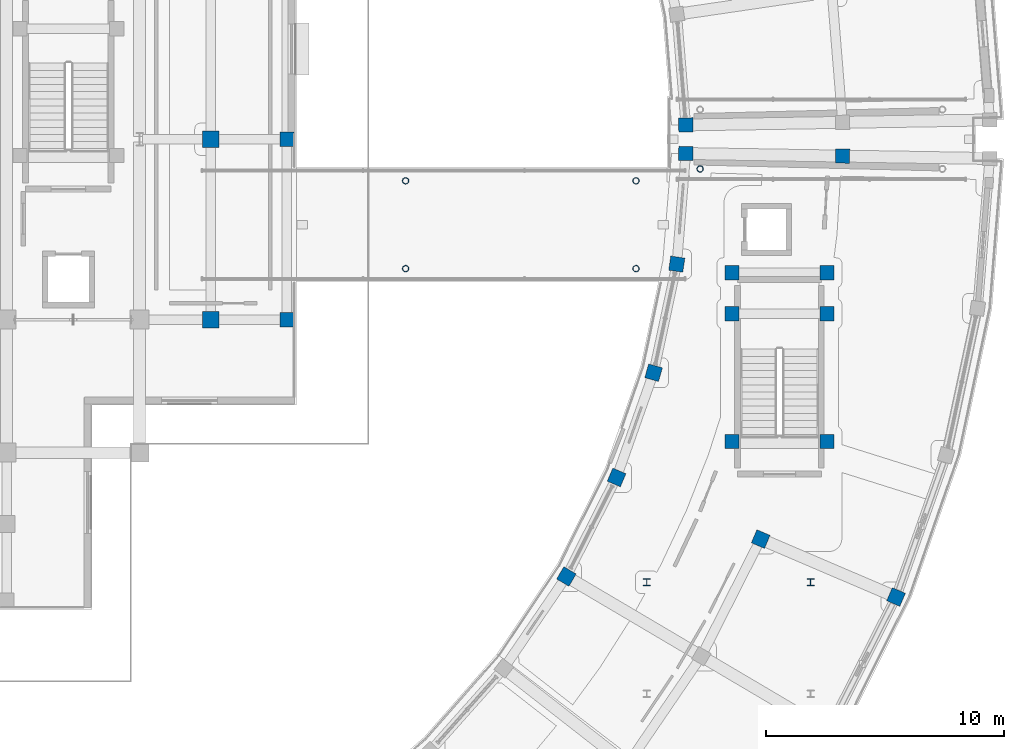
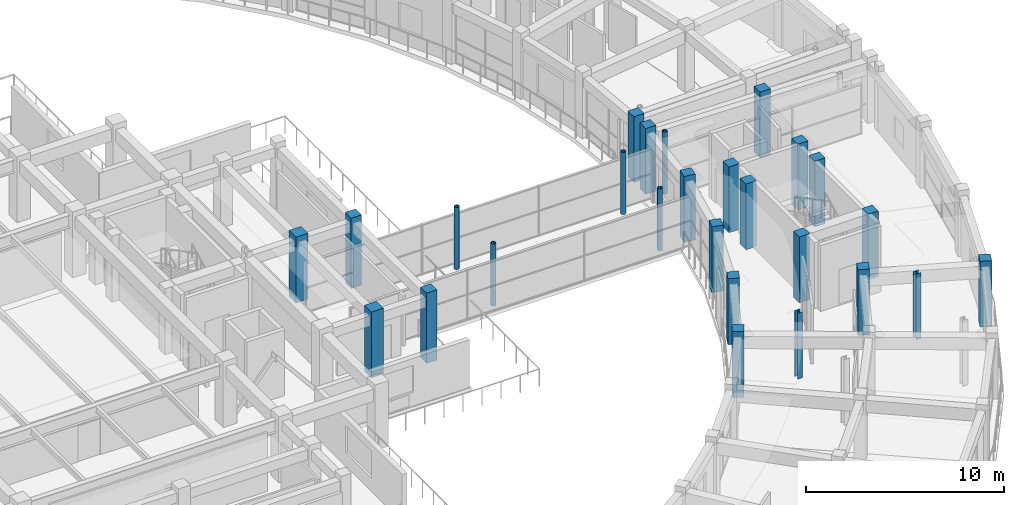
# One storey, part 6 of 72: 26 columns.
"""IFC4 building model written with IfcOpenShell, lengths in metres."""

from ifc_helpers import new_model, si_unit, direction, frame, origin, origin_2d, place, context, subcontext, project, spatial, rectangle, hollow_circle, i_section, extrude, material, material_profile, profile_set, type_object, element, save


model = new_model("IFC4")

# Units and contexts
model_context = context("Model", 3, precision=1e-05, world=origin(), true_north=direction((0.0, 1.0)))
body_context = subcontext(model_context, "Body", "Model", "MODEL_VIEW")
ifc_project = project(units=[si_unit("LENGTHUNIT", "METRE"), si_unit("AREAUNIT", "SQUARE_METRE"), si_unit("VOLUMEUNIT", "CUBIC_METRE"), si_unit("PLANEANGLEUNIT", "RADIAN"), si_unit("MASSUNIT", "GRAM", prefix="KILO")], contexts=[model_context])

# Site, building, storey
site_placement = place(None, origin())
site = spatial("IfcSite", under=ifc_project, at=site_placement, CompositionType="ELEMENT")
building_placement = place(site_placement, origin())
building = spatial("IfcBuilding", under=site, at=building_placement, Name="Saryqyr Civic Hall", CompositionType="ELEMENT")
storey_placement = place(building_placement, frame((0.0, 0.0, 17.25)))
storey = spatial("IfcBuildingStorey", under=building, at=storey_placement, Name="L04", CompositionType="ELEMENT", Elevation=17.25)

# Columns
ifc_material_1 = material(Name="Steel S355", Category="steel")
ifc_material_profile_1 = material_profile(ifc_material_1, hollow_circle(Radius=0.136474609375, WallThickness=0.01611328125, at=origin_2d()), Name="CHS 273x16")
ifc_profile_set_1 = profile_set([ifc_material_profile_1], Name="Steel S355")
column_type_1 = type_object("IfcColumnType", Name="STR-COL-CHS273-S355", PredefinedType="COLUMN", material=ifc_profile_set_1)
for number, where, z_axis, x_axis, name in (
    (1, (93.800048828125, 82.75, 0.0), (0.0, 0.0, 1.0), (1.0, 0.0, 0.0), "Column BRCOL-BR-E-1-L04"),
    (2, (81.39990234375, 78.550048828125, 0.0), (0.0, 0.0, 1.0), (1.0, 0.0, 0.0), "Column BRCOL-BR-CE-1-L04"),
    (3, (91.09765625, 78.550048828125, 0.0), (0.0, 0.0, 1.0), (1.0, 0.0, 0.0), "Column BRCOL-BR-CE-2-L04"),
    (4, (91.09765625, 82.25, 0.0), (0.0, 0.0, 1.0), (1.0, 0.0, 0.0), "Column BRCOL-BR-CE-3-L04"),
    (5, (81.39990234375, 82.25, 0.0), (0.0, 0.0, 1.0), (1.0, 0.0, 0.0), "Column BRCOL-BR-CE-4-L04"),
):
    element("IfcColumn", number, at=place(storey_placement, frame(where, z_axis=z_axis, x_axis=x_axis)), inside=storey, type_object=column_type_1, Name=name, PredefinedType="COLUMN", context=body_context, shape_type="SweptSolid", body=[
        extrude(hollow_circle(Radius=0.136474609375, WallThickness=0.01611328125, at=origin_2d()), origin(), (0.0, 0.0, 1.0), 3.820068359375),
    ])
ifc_material_profile_2 = material_profile(ifc_material_1, i_section(OverallWidth=0.300048828125, OverallDepth=0.2900390625, WebThickness=0.008544921875, FlangeThickness=0.013916015625, at=origin_2d()), Name="HEA 300")
ifc_profile_set_2 = profile_set([ifc_material_profile_2], Name="Steel S355")
column_type_2 = type_object("IfcColumnType", Name="STR-COL-HEA300-S355", PredefinedType="COLUMN", material=ifc_profile_set_2)
for number, where, z_axis, x_axis, name in (
    (6, (98.449951171875, 65.35009765625, 0.0), (0.0, 0.0, 1.0), (1.0, 0.0, 0.0), "Column RGV5-COL-3-L04"),
    (7, (91.550048828125, 65.35009765625, 0.0), (0.0, 0.0, 1.0), (1.0, 0.0, 0.0), "Column RGV5-COL-4-L04"),
):
    element("IfcColumn", number, at=place(storey_placement, frame(where, z_axis=z_axis, x_axis=x_axis)), inside=storey, type_object=column_type_2, Name=name, PredefinedType="COLUMN", context=body_context, shape_type="SweptSolid", body=[
        extrude(i_section(OverallWidth=0.300048828125, OverallDepth=0.2900390625, WebThickness=0.008544921875, FlangeThickness=0.013916015625, at=origin_2d()), origin(), (0.0, 0.0, 1.0), 4.050048828125),
    ])
ifc_material_2 = material(Name="Concrete C40/50", Category="concrete")
ifc_material_profile_3 = material_profile(ifc_material_2, rectangle(XDim=0.60009765625, YDim=0.60009765625, at=origin_2d()), Name="RC 600x600")
ifc_profile_set_3 = profile_set([ifc_material_profile_3], Name="Concrete C40/50")
column_type_3 = type_object("IfcColumnType", Name="STR-COL-RC600-C40", PredefinedType="COLUMN", material=ifc_profile_set_3)
for number, where, z_axis, x_axis, name in (
    (8, (76.39990234375, 76.39990234375, -0.280029296875), (0.0, 0.0, 1.0), (1.0, 0.0, 0.0), "Column V1-COL-TG-E1-L04"),
    (9, (76.39990234375, 84.0, -0.280029296875), (0.0, 0.0, 1.0), (1.0, 0.0, 0.0), "Column V1-COL-TG-E2-L04"),
):
    element("IfcColumn", number, at=place(storey_placement, frame(where, z_axis=z_axis, x_axis=x_axis)), inside=storey, type_object=column_type_3, Name=name, PredefinedType="COLUMN", context=body_context, shape_type="SweptSolid", body=[
        extrude(rectangle(XDim=0.60009765625, YDim=0.60009765625, at=origin_2d()), origin(), (0.0, 0.0, 1.0), 4.330078125),
    ])
for number, where, z_axis, x_axis, name in (
    (10, (88.16845703125, 65.589111328125, 0.0), (0.0, 0.0, 1.0), (0.861008442465, -0.508590662521, 0.0), "Column V5-COL-IN06-L04"),
    (11, (90.281494140625, 69.759521484375, 0.0), (0.0, 0.0, 1.0), (0.919410138581, -0.393300136124, 0.0), "Column V5-COL-IN07-L04"),
    (12, (96.349365234375, 67.163330078125, 0.0), (0.0, 0.0, 1.0), (0.919410138581, -0.393300136124, 0.0), "Column V5-COL-MID07-L04"),
    (13, (102.04931640625, 64.724365234375, 0.0), (0.0, 0.0, 1.0), (0.919410138581, -0.393300136124, 0.0), "Column V5-COL-OUT07-L04"),
    (14, (91.839111328125, 74.167724609375, 0.0), (0.0, 0.0, 1.0), (0.962407846499, -0.271608425858, 0.0), "Column V5-COL-IN08-L04"),
    (15, (92.81591796875, 78.739990234375, 0.0), (0.0, 0.0, 1.0), (0.989374077068, -0.145392350643, 0.0), "Column V5-COL-IN09-L04"),
    (16, (93.195068359375, 83.39990234375, 0.0), (0.0, 0.0, 1.0), (0.999862544538, -0.016579868188, 0.0), "Column V5-COL-IN10-L04"),
    (17, (99.794189453125, 83.290283203125, 0.0), (0.0, 0.0, 1.0), (0.999862544538, -0.016579868188, 0.0), "Column V5-COL-MID10-L04"),
    (18, (93.195068359375, 84.60009765625, 0.0), (0.0, 0.0, 1.0), (0.999862544538, 0.016579868188, 0.0), "Column V6-COL-IN00-L04"),
    (19, (99.139892578125, 71.27490234375, 0.0), (0.0, 0.0, 1.0), (1.0, 0.0, 0.0), "Column ST-5-SCOL-TRMA-L04"),
    (20, (95.139892578125, 71.27490234375, 0.0), (0.0, 0.0, 1.0), (1.0, 0.0, 0.0), "Column ST-5-SCOL-TRMB-L04"),
    (21, (99.139892578125, 76.64990234375, 0.0), (0.0, 0.0, 1.0), (1.0, 0.0, 0.0), "Column ST-5-SCOL-LND1A-L04"),
    (22, (95.139892578125, 76.64990234375, 0.0), (0.0, 0.0, 1.0), (1.0, 0.0, 0.0), "Column ST-5-SCOL-LND1B-L04"),
    (23, (99.139892578125, 78.3798828125, 0.0), (0.0, 0.0, 1.0), (1.0, 0.0, 0.0), "Column ST-5-SCOL-LND2A-L04"),
    (24, (95.139892578125, 78.3798828125, 0.0), (0.0, 0.0, 1.0), (1.0, 0.0, 0.0), "Column ST-5-SCOL-LND2B-L04"),
):
    element("IfcColumn", number, at=place(storey_placement, frame(where, z_axis=z_axis, x_axis=x_axis)), inside=storey, type_object=column_type_3, Name=name, PredefinedType="COLUMN", context=body_context, shape_type="SweptSolid", body=[
        extrude(rectangle(XDim=0.60009765625, YDim=0.60009765625, at=origin_2d()), origin(), (0.0, 0.0, 1.0), 4.050048828125),
    ])
ifc_material_profile_4 = material_profile(ifc_material_2, rectangle(XDim=0.699951171875, YDim=0.699951171875, at=origin_2d()), Name="RC 700x700")
ifc_profile_set_4 = profile_set([ifc_material_profile_4], Name="Concrete C40/50")
column_type_4 = type_object("IfcColumnType", Name="STR-COL-RC700-C40", PredefinedType="COLUMN", material=ifc_profile_set_4)
for number, where, z_axis, x_axis, name in (
    (25, (73.199951171875, 76.39990234375, 0.0), (0.0, 0.0, 1.0), (1.0, 0.0, 0.0), "Column V1-COL-S3P04-L04"),
    (26, (73.199951171875, 84.0, 0.0), (0.0, 0.0, 1.0), (1.0, 0.0, 0.0), "Column V1-COL-S3P05-L04"),
):
    element("IfcColumn", number, at=place(storey_placement, frame(where, z_axis=z_axis, x_axis=x_axis)), inside=storey, type_object=column_type_4, Name=name, PredefinedType="COLUMN", context=body_context, shape_type="SweptSolid", body=[
        extrude(rectangle(XDim=0.699951171875, YDim=0.699951171875, at=origin_2d()), origin(), (0.0, 0.0, 1.0), 4.050048828125),
    ])

save(model, "model.ifc")
